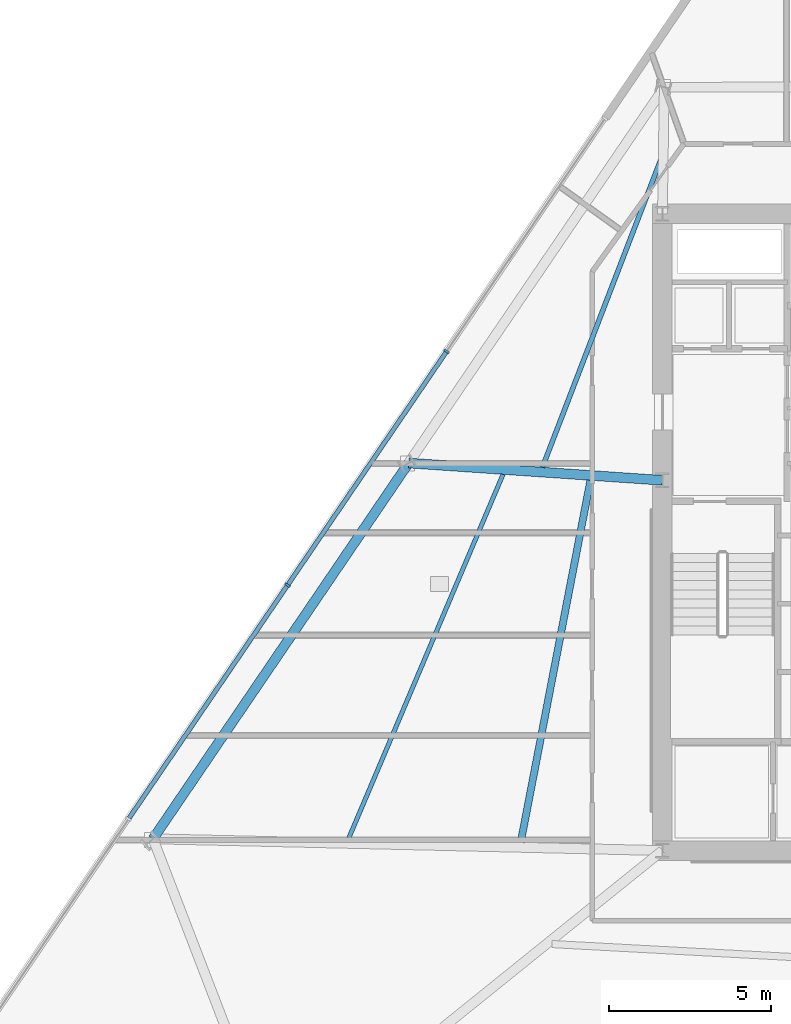
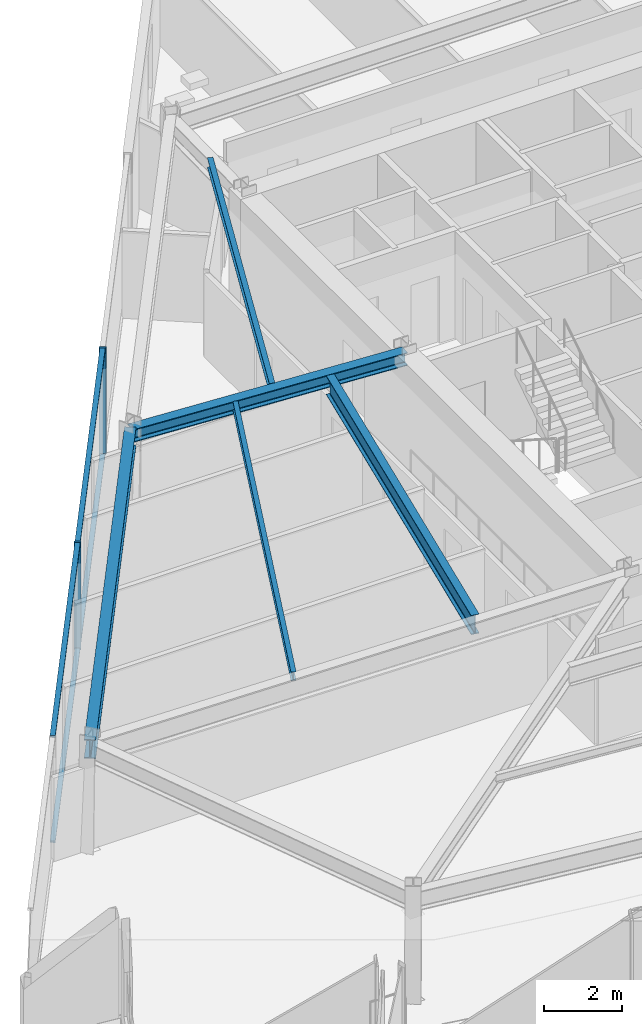
# One storey, part 4 of 17: 6 members, 5 beams, 1 element without a shape of its own.
"""IFC4 building model written with IfcOpenShell, lengths in metres."""

from ifc_helpers import new_model, si_unit, direction, frame, origin, origin_2d, place, context, subcontext, project, spatial, rectangle, i_section, extrude, material, material_profile, profile_set, type_object, element, aggregate, save


model = new_model("IFC4")

# Units and contexts
model_context = context("Model", 3, precision=1e-05, world=origin(), true_north=direction((0.0, 1.0)))
body_context = subcontext(model_context, "Body", "Model", "MODEL_VIEW")
ifc_project = project(units=[si_unit("LENGTHUNIT", "METRE"), si_unit("AREAUNIT", "SQUARE_METRE"), si_unit("VOLUMEUNIT", "CUBIC_METRE"), si_unit("PLANEANGLEUNIT", "RADIAN"), si_unit("MASSUNIT", "GRAM", prefix="KILO")], contexts=[model_context])

# Site, building, storey
site_placement = place(None, origin())
site = spatial("IfcSite", under=ifc_project, at=site_placement, CompositionType="ELEMENT")
building_placement = place(site_placement, origin())
building = spatial("IfcBuilding", under=site, at=building_placement, Name="Savorim Split Tower", CompositionType="ELEMENT")
storey_placement = place(building_placement, frame((0.0, 0.0, 62.39990234375)))
storey = spatial("IfcBuildingStorey", under=building, at=storey_placement, Name="L16", CompositionType="ELEMENT", Elevation=62.39990234375)

# Beams
ifc_material_1 = material(Name="Steel S355", Category="steel")
ifc_material_profile_1 = material_profile(ifc_material_1, i_section(OverallWidth=0.135009765625, OverallDepth=0.27001953125, WebThickness=0.006591796875, FlangeThickness=0.01025390625, FilletRadius=0.014892578125, at=origin_2d()), Name="IPE 270")
ifc_profile_set_1 = profile_set([ifc_material_profile_1], Name="Steel S355")
beam_type_1 = type_object("IfcBeamType", Name="BM-JST-IPE270", PredefinedType="JOIST", material=ifc_profile_set_1)
beam_1_placement = place(storey_placement, frame((-12.607666015625, 2.18212890625, 3.215087890625), z_axis=(-0.390451503811, -0.920623496969, 0.0), x_axis=(0.920623496969, -0.390451503811, 0.0)))
element("IfcBeam", 1, at=beam_1_placement, inside=storey, type_object=beam_type_1, Name="L16 Secondary Floor Joist JS-10", PredefinedType="JOIST", context=body_context, shape_type="SweptSolid", body=[
    extrude(i_section(OverallWidth=0.135009765625, OverallDepth=0.27001953125, WebThickness=0.006591796875, FlangeThickness=0.01025390625, FilletRadius=0.014892578125, at=origin_2d()), origin(), (0.0, 0.0, 1.0), 12.17724609375),
])
ifc_material_profile_2 = material_profile(ifc_material_1, i_section(OverallWidth=0.14990234375, OverallDepth=0.300048828125, WebThickness=0.007080078125, FlangeThickness=0.0107421875, FilletRadius=0.014892578125, at=origin_2d()), Name="IPE 300")
ifc_profile_set_2 = profile_set([ifc_material_profile_2], Name="Steel S355")
beam_type_2 = type_object("IfcBeamType", Name="BM-JST-IPE300", PredefinedType="JOIST", material=ifc_profile_set_2)
beam_2_placement = place(storey_placement, frame((-7.730712890625, 11.923095703125, 3.2001953125), z_axis=(-0.359129854325, -0.933287601832, 0.0), x_axis=(0.933287601832, -0.359129854325, 0.0)))
element("IfcBeam", 2, at=beam_2_placement, inside=storey, type_object=beam_type_2, Name="L16 Secondary Floor Joist JS-09", PredefinedType="JOIST", context=body_context, shape_type="SweptSolid", body=[
    extrude(i_section(OverallWidth=0.14990234375, OverallDepth=0.300048828125, WebThickness=0.007080078125, FlangeThickness=0.0107421875, FilletRadius=0.014892578125, at=origin_2d()), origin(), (0.0, 0.0, 1.0), 10.19921875),
])
ifc_material_profile_3 = material_profile(ifc_material_1, i_section(OverallWidth=0.219970703125, OverallDepth=0.60009765625, WebThickness=0.011962890625, FlangeThickness=0.01904296875, FilletRadius=0.02392578125, at=origin_2d()), Name="IPE 600")
ifc_profile_set_3 = profile_set([ifc_material_profile_3], Name="Steel S355")
beam_type_3 = type_object("IfcBeamType", Name="BM-JST-IPE600", PredefinedType="JOIST", material=ifc_profile_set_3)
beam_3_placement = place(storey_placement, frame((-9.918212890625, 1.99169921875, 3.050048828125), z_axis=(-0.189063030025, -0.981964953895, 0.0), x_axis=(0.981964953895, -0.189063030025, 0.0)))
element("IfcBeam", 3, at=beam_3_placement, inside=storey, type_object=beam_type_3, Name="L16 Secondary Floor Joist JS-11", PredefinedType="JOIST", context=body_context, shape_type="SweptSolid", body=[
    extrude(i_section(OverallWidth=0.219970703125, OverallDepth=0.60009765625, WebThickness=0.011962890625, FlangeThickness=0.01904296875, FilletRadius=0.02392578125, at=origin_2d()), origin(), (0.0, 0.0, 1.0), 11.337890625),
])
ifc_material_profile_4 = material_profile(ifc_material_1, i_section(OverallWidth=0.300048828125, OverallDepth=0.39990234375, WebThickness=0.013427734375, FlangeThickness=0.02392578125, FilletRadius=0.027099609375, at=origin_2d()), Name="HEB 400")
ifc_profile_set_4 = profile_set([ifc_material_profile_4], Name="Steel S355")
beam_type_4 = type_object("IfcBeamType", Name="BM-PRI-HEB400", PredefinedType="BEAM", material=ifc_profile_set_4)
beam_4_placement = place(storey_placement, frame((-15.5146484375, 2.53125, 3.150146484375), z_axis=(0.997697278234, -0.067824339324, 0.0), x_axis=(0.067824339324, 0.997697278234, 0.0)))
element("IfcBeam", 4, at=beam_4_placement, inside=storey, type_object=beam_type_4, Name="L16 Primary Floor Girder RG-09", PredefinedType="BEAM", context=body_context, shape_type="SweptSolid", body=[
    extrude(i_section(OverallWidth=0.300048828125, OverallDepth=0.39990234375, WebThickness=0.013427734375, FlangeThickness=0.02392578125, FilletRadius=0.027099609375, at=origin_2d()), origin(), (0.0, 0.0, 1.0), 7.832763671875),
])
ifc_material_profile_5 = material_profile(ifc_material_1, i_section(OverallWidth=0.300048828125, OverallDepth=0.590087890625, WebThickness=0.012939453125, FlangeThickness=0.02490234375, FilletRadius=0.027099609375, at=origin_2d()), Name="HEA 600")
ifc_profile_set_5 = profile_set([ifc_material_profile_5], Name="Steel S355")
beam_type_5 = type_object("IfcBeamType", Name="BM-SPN-HEA600", PredefinedType="SPANDREL", material=ifc_profile_set_5)
beam_5_placement = place(storey_placement, frame((-15.5146484375, 2.53125, 3.05517578125), z_axis=(-0.56247083654, -0.826817124908, 0.0), x_axis=(0.826817124908, -0.56247083654, 0.0)))
element("IfcBeam", 5, at=beam_5_placement, inside=storey, type_object=beam_type_5, Name="L16 Perimeter Spandrel Beam 9", PredefinedType="SPANDREL", context=body_context, shape_type="SweptSolid", body=[
    extrude(i_section(OverallWidth=0.300048828125, OverallDepth=0.590087890625, WebThickness=0.012939453125, FlangeThickness=0.02490234375, FilletRadius=0.027099609375, at=origin_2d()), origin(), (0.0, 0.0, 1.0), 13.992919921875),
])

# Curtain wall, members
ifc_material_2 = material(Name="Dark Ceramic-Fritted Insulated Glass", Category="glass")
curtain_wall_type = type_object("IfcCurtainWallType", Name="CW-TWR-FRIT-A", PredefinedType="NOTDEFINED", material=ifc_material_2)
curtain_wall_placement = place(storey_placement, origin())
curtain_wall = element("IfcCurtainWall", 6, at=curtain_wall_placement, inside=storey, type_object=curtain_wall_type, Name="L16 Curtain Wall CW-L16-WEST", PredefinedType="NOTDEFINED")
ifc_material_3 = material(Name="Charcoal Anodised Aluminium", Category="aluminium")
ifc_material_profile_6 = material_profile(ifc_material_3, rectangle(XDim=0.179931640625, YDim=0.06494140625, at=origin_2d()), Name="ALU-M 180x65")
ifc_profile_set_6 = profile_set([ifc_material_profile_6], Name="Charcoal Anodised Aluminium")
member_type_1 = type_object("IfcMemberType", Name="CWM-180x65", PredefinedType="MULLION", material=ifc_profile_set_6)
member_1_placement = place(storey_placement, frame((-14.34619140625, 5.967041015625, 0.0), z_axis=(0.0, 0.0, 1.0), x_axis=(0.826820172644, -0.562466356423, 0.0)))
member_1 = element("IfcMember", 7, at=member_1_placement, type_object=member_type_1, Name="CW-02 mullion 2", PredefinedType="MULLION", context=body_context, shape_type="SweptSolid", body=[
    extrude(rectangle(XDim=0.179931640625, YDim=0.06494140625, at=origin_2d()), origin(), (0.0, 0.0, 1.0), 3.35009765625),
])
member_2_placement = place(storey_placement, frame((-19.24169921875, -1.229248046875, 0.0), z_axis=(0.0, 0.0, 1.0), x_axis=(0.826820172644, -0.562466356423, 0.0)))
member_2 = element("IfcMember", 8, at=member_2_placement, type_object=member_type_1, Name="CW-02 mullion 3", PredefinedType="MULLION", context=body_context, shape_type="SweptSolid", body=[
    extrude(rectangle(XDim=0.179931640625, YDim=0.06494140625, at=origin_2d()), origin(), (0.0, 0.0, 1.0), 3.35009765625),
])
ifc_material_profile_7 = material_profile(ifc_material_3, rectangle(XDim=0.139892578125, YDim=0.054931640625, at=origin_2d()), Name="ALU-T 140x55")
ifc_profile_set_7 = profile_set([ifc_material_profile_7], Name="Charcoal Anodised Aluminium")
member_type_2 = type_object("IfcMemberType", Name="CWT-140x55", PredefinedType="USERDEFINED", material=ifc_profile_set_7)
member_3_placement = place(storey_placement, frame((-14.364501953125, 5.940185546875, 0.027587890625), z_axis=(-0.562463069867, -0.826822408402, 0.0), x_axis=(0.826822408402, -0.562463069867, 0.0)))
member_3 = element("IfcMember", 9, at=member_3_placement, type_object=member_type_2, Name="CW-02 transom 2.1", ObjectType="TRANSOM", PredefinedType="USERDEFINED", context=body_context, shape_type="SweptSolid", body=[
    extrude(rectangle(XDim=0.139892578125, YDim=0.054931640625, at=origin_2d()), origin(), (0.0, 0.0, 1.0), 8.638671875),
])
member_4_placement = place(storey_placement, frame((-14.364501953125, 5.940185546875, 3.322509765625), z_axis=(-0.562463069867, -0.826822408402, 0.0), x_axis=(0.826822408402, -0.562463069867, 0.0)))
member_4 = element("IfcMember", 10, at=member_4_placement, type_object=member_type_2, Name="CW-02 transom 2.2", ObjectType="TRANSOM", PredefinedType="USERDEFINED", context=body_context, shape_type="SweptSolid", body=[
    extrude(rectangle(XDim=0.139892578125, YDim=0.054931640625, at=origin_2d()), origin(), (0.0, 0.0, 1.0), 8.638671875),
])
member_5_placement = place(storey_placement, frame((-19.260009765625, -1.256103515625, 0.027587890625), z_axis=(-0.562449926829, -0.826831349073, 0.0), x_axis=(0.826831349073, -0.562449926829, 0.0)))
member_5 = element("IfcMember", 11, at=member_5_placement, type_object=member_type_2, Name="CW-02 transom 3.1", ObjectType="TRANSOM", PredefinedType="USERDEFINED", context=body_context, shape_type="SweptSolid", body=[
    extrude(rectangle(XDim=0.139892578125, YDim=0.054931640625, at=origin_2d()), origin(), (0.0, 0.0, 1.0), 8.638671875),
])
member_6_placement = place(storey_placement, frame((-19.260009765625, -1.256103515625, 3.322509765625), z_axis=(-0.562449926829, -0.826831349073, 0.0), x_axis=(0.826831349073, -0.562449926829, 0.0)))
member_6 = element("IfcMember", 12, at=member_6_placement, type_object=member_type_2, Name="CW-02 transom 3.2", ObjectType="TRANSOM", PredefinedType="USERDEFINED", context=body_context, shape_type="SweptSolid", body=[
    extrude(rectangle(XDim=0.139892578125, YDim=0.054931640625, at=origin_2d()), origin(), (0.0, 0.0, 1.0), 8.638671875),
])
aggregate(curtain_wall, [member_1, member_2, member_3, member_4, member_5, member_6])

save(model, "model.ifc")
